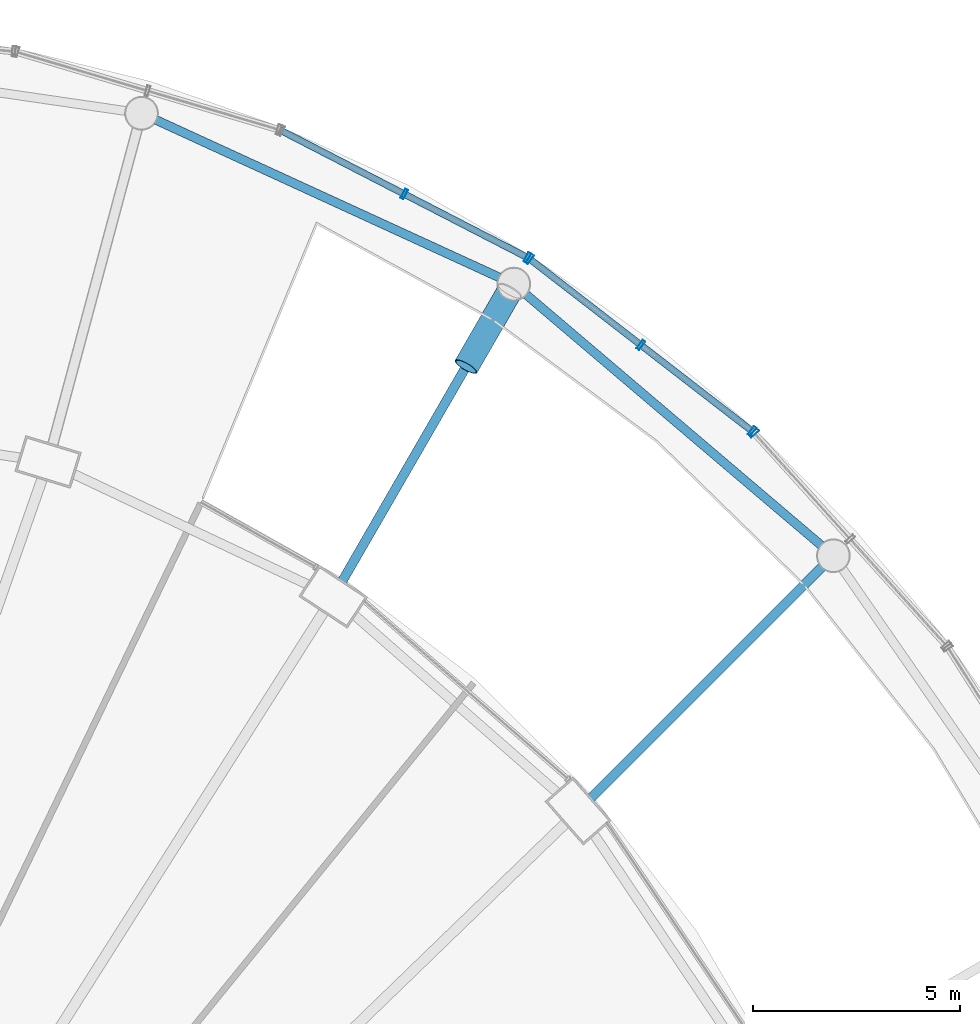
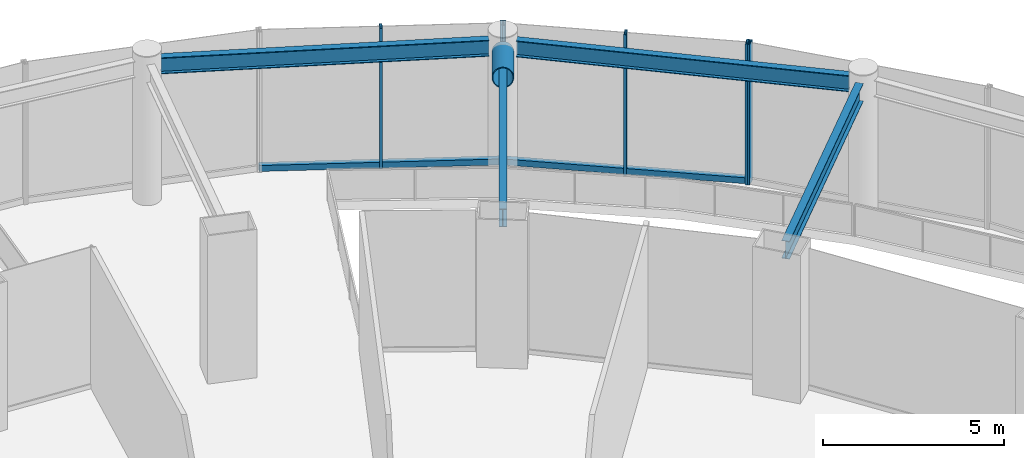
# One storey, part 38 of 52: 9 members, 4 beams, 3 elements without a shape of their own.
"""IFC4 building model written with IfcOpenShell, lengths in metres."""

from ifc_helpers import new_model, si_unit, direction, frame, origin, origin_2d, place, context, subcontext, project, spatial, hollow_rectangle, hollow_circle, i_section, extrude, material, layer, layer_set, material_profile, profile_set, type_object, element, aggregate, save


model = new_model("IFC4")

# Units and contexts
model_context = context("Model", 3, precision=1e-05, world=origin(), true_north=direction((0.0, 1.0)))
body_context = subcontext(model_context, "Body", "Model", "MODEL_VIEW")
ifc_project = project(units=[si_unit("LENGTHUNIT", "METRE"), si_unit("AREAUNIT", "SQUARE_METRE"), si_unit("VOLUMEUNIT", "CUBIC_METRE"), si_unit("PLANEANGLEUNIT", "RADIAN"), si_unit("MASSUNIT", "GRAM", prefix="KILO")], contexts=[model_context])

# Site, building, storey
site_placement = place(None, origin())
site = spatial("IfcSite", under=ifc_project, at=site_placement, CompositionType="ELEMENT")
building_placement = place(site_placement, origin())
building = spatial("IfcBuilding", under=site, at=building_placement, Name="Nagisa Residences", CompositionType="ELEMENT")
storey_placement = place(building_placement, frame((0.0, 0.0, 22.0)))
storey = spatial("IfcBuildingStorey", under=building, at=storey_placement, Name="L04", CompositionType="ELEMENT", Elevation=22.0)

# Beams
ifc_material_1 = material(Name="Steel ASTM A572 Gr 50", Category="steel")
ifc_material_profile_1 = material_profile(ifc_material_1, i_section(OverallWidth=0.214111328125, OverallDepth=0.549072265625, WebThickness=0.0146484375, FlangeThickness=0.023681640625, at=origin_2d()), Name="W530x138")
ifc_profile_set_1 = profile_set([ifc_material_profile_1], Name="Steel ASTM A572 Gr 50")
beam_type_1 = type_object("IfcBeamType", Name="Atrium ring beam W530x138", PredefinedType="BEAM", material=ifc_profile_set_1)
beam_1_placement = place(storey_placement, frame((29.60986328125, 29.383056640625, 4.4755859375), z_axis=(-0.761996084448, 0.647581629824, 0.0), x_axis=(-0.647581629824, -0.761996084448, 0.0)))
element("IfcBeam", 1, at=beam_1_placement, inside=storey, type_object=beam_type_1, Name="beam:L04:rab04", PredefinedType="BEAM", context=body_context, shape_type="SweptSolid", body=[
    extrude(i_section(OverallWidth=0.214111328125, OverallDepth=0.549072265625, WebThickness=0.0146484375, FlangeThickness=0.023681640625, at=origin_2d()), origin(), (0.0, 0.0, 1.0), 9.337646484375),
])
beam_2_placement = place(storey_placement, frame((21.8486328125, 35.84130859375, 4.4755859375), z_axis=(-0.908914420706, 0.416982704477, 0.0), x_axis=(-0.416982704477, -0.908914420706, 0.0)))
element("IfcBeam", 2, at=beam_2_placement, inside=storey, type_object=beam_type_1, Name="beam:L04:rab05", PredefinedType="BEAM", context=body_context, shape_type="SweptSolid", body=[
    extrude(i_section(OverallWidth=0.214111328125, OverallDepth=0.549072265625, WebThickness=0.0146484375, FlangeThickness=0.023681640625, at=origin_2d()), origin(), (0.0, 0.0, 1.0), 9.097900390625),
])
ifc_material_2 = material(Name="Steel ASTM A572 Gr 50", Category="steel")
ifc_material_profile_2 = material_profile(ifc_material_2, i_section(OverallWidth=0.22802734375, OverallDepth=0.60302734375, WebThickness=0.010498046875, FlangeThickness=0.014892578125, at=origin_2d()), Name="W610x101")
ifc_profile_set_2 = profile_set([ifc_material_profile_2], Name="Steel ASTM A572 Gr 50")
beam_type_2 = type_object("IfcBeamType", Name="Atrium roof beam W610x101", PredefinedType="BEAM", material=ifc_profile_set_2)
beam_3_placement = place(storey_placement, frame((24.057373046875, 23.28564453125, 4.448486328125), z_axis=(0.707091295005, 0.707122267029, 0.0), x_axis=(-0.707122267029, 0.707091295005, 0.0)))
element("IfcBeam", 3, at=beam_3_placement, inside=storey, type_object=beam_type_2, Name="beam:L04:rer04", PredefinedType="BEAM", context=body_context, shape_type="SweptSolid", body=[
    extrude(i_section(OverallWidth=0.22802734375, OverallDepth=0.60302734375, WebThickness=0.010498046875, FlangeThickness=0.014892578125, at=origin_2d()), origin(), (0.0, 0.0, 1.0), 7.882568359375),
])
beam_4_placement = place(storey_placement, frame((18.0654296875, 28.518798828125, 4.448486328125), z_axis=(0.500003060896, 0.866023636568, 0.0), x_axis=(-0.866023636568, 0.500003060896, 0.0)))
element("IfcBeam", 4, at=beam_4_placement, inside=storey, type_object=beam_type_2, Name="beam:L04:rer05", PredefinedType="BEAM", context=body_context, shape_type="SweptSolid", body=[
    extrude(i_section(OverallWidth=0.22802734375, OverallDepth=0.60302734375, WebThickness=0.010498046875, FlangeThickness=0.014892578125, at=origin_2d()), origin(), (0.0, 0.0, 1.0), 7.8828125),
])

# Curtain wall, member
ifc_material_3 = material(Name="Stainless steel curtain wall system", Category="steel")
ifc_layer = layer(ifc_material_3, 0.159912109375)
ifc_layer_set = layer_set([ifc_layer], Name="CW3 CURTAIN WALL")
curtain_wall_type = type_object("IfcCurtainWallType", Name="CW3 CURTAIN WALL", PredefinedType="NOTDEFINED", material=ifc_layer_set)
curtain_wall_1_placement = place(storey_placement, origin())
curtain_wall_1 = element("IfcCurtainWall", 5, at=curtain_wall_1_placement, inside=storey, type_object=curtain_wall_type, Name="cw:CW3:L04:04", PredefinedType="NOTDEFINED")
ifc_material_4 = material(Name="Stainless steel", Category="steel")
ifc_material_profile_3 = material_profile(ifc_material_4, hollow_rectangle(XDim=0.25, YDim=0.080078125, WallThickness=0.008056640625, at=origin_2d()), Name="CW3 MULLION 250x80")
ifc_profile_set_3 = profile_set([ifc_material_profile_3], Name="Stainless steel")
member_type_1 = type_object("IfcMemberType", Name="CW3 MULLION 250x80", PredefinedType="MULLION", material=ifc_profile_set_3)
member_1_placement = place(storey_placement, frame((27.993408203125, 32.090576171875, 0.0), z_axis=(0.0, 0.0, 1.0), x_axis=(-0.741535779122, -0.670913323971, 0.0)))
member_1 = element("IfcMember", 6, at=member_1_placement, type_object=member_type_1, Name="CW3 mullion", PredefinedType="MULLION", context=body_context, shape_type="SweptSolid", body=[
    extrude(hollow_rectangle(XDim=0.25, YDim=0.080078125, WallThickness=0.008056640625, at=origin_2d()), origin(), (0.0, 0.0, 1.0), 4.739990234375),
])
aggregate(curtain_wall_1, [member_1])

# Curtain wall, members
curtain_wall_2_placement = place(storey_placement, origin())
curtain_wall_2 = element("IfcCurtainWall", 7, at=curtain_wall_2_placement, inside=storey, type_object=curtain_wall_type, Name="cw:CW3:L04:05", PredefinedType="NOTDEFINED")
member_2_placement = place(storey_placement, frame((27.9453125, 32.135009765625, 0.0), z_axis=(0.0, 0.0, 1.0), x_axis=(-0.612034757172, -0.790830864353, 0.0)))
member_2 = element("IfcMember", 8, at=member_2_placement, type_object=member_type_1, Name="CW3 mullion", PredefinedType="MULLION", context=body_context, shape_type="SweptSolid", body=[
    extrude(hollow_rectangle(XDim=0.25, YDim=0.080078125, WallThickness=0.008056640625, at=origin_2d()), origin(), (0.0, 0.0, 1.0), 4.739990234375),
])
member_3_placement = place(storey_placement, frame((25.263916015625, 34.210205078125, 0.0), z_axis=(0.0, 0.0, 1.0), x_axis=(-0.612034757172, -0.790830864353, 0.0)))
member_3 = element("IfcMember", 9, at=member_3_placement, type_object=member_type_1, Name="CW3 mullion", PredefinedType="MULLION", context=body_context, shape_type="SweptSolid", body=[
    extrude(hollow_rectangle(XDim=0.25, YDim=0.080078125, WallThickness=0.008056640625, at=origin_2d()), origin(), (0.0, 0.0, 1.0), 4.739990234375),
])
member_4_placement = place(storey_placement, frame((22.582763671875, 36.285400390625, 0.0), z_axis=(0.0, 0.0, 1.0), x_axis=(-0.612034757172, -0.790830864353, 0.0)))
member_4 = element("IfcMember", 10, at=member_4_placement, type_object=member_type_1, Name="CW3 mullion", PredefinedType="MULLION", context=body_context, shape_type="SweptSolid", body=[
    extrude(hollow_rectangle(XDim=0.25, YDim=0.080078125, WallThickness=0.008056640625, at=origin_2d()), origin(), (0.0, 0.0, 1.0), 4.739990234375),
])

curtain_wall_3_placement = place(storey_placement, origin())
curtain_wall_3 = element("IfcCurtainWall", 11, at=curtain_wall_3_placement, inside=storey, type_object=curtain_wall_type, Name="cw:CW3:L04:06", PredefinedType="NOTDEFINED")
member_5_placement = place(storey_placement, frame((22.52783203125, 36.3203125, 0.0), z_axis=(0.0, 0.0, 1.0), x_axis=(-0.45812598783, -0.888887270285, 0.0)))
member_5 = element("IfcMember", 12, at=member_5_placement, type_object=member_type_1, Name="CW3 mullion", PredefinedType="MULLION", context=body_context, shape_type="SweptSolid", body=[
    extrude(hollow_rectangle(XDim=0.25, YDim=0.080078125, WallThickness=0.008056640625, at=origin_2d()), origin(), (0.0, 0.0, 1.0), 4.739990234375),
])
member_6_placement = place(storey_placement, frame((19.561767578125, 37.848876953125, 0.0), z_axis=(0.0, 0.0, 1.0), x_axis=(-0.45812598783, -0.888887270285, 0.0)))
member_6 = element("IfcMember", 13, at=member_6_placement, type_object=member_type_1, Name="CW3 mullion", PredefinedType="MULLION", context=body_context, shape_type="SweptSolid", body=[
    extrude(hollow_rectangle(XDim=0.25, YDim=0.080078125, WallThickness=0.008056640625, at=origin_2d()), origin(), (0.0, 0.0, 1.0), 4.739990234375),
])

# Member
ifc_material_5 = material(Name="Stainless steel", Category="steel")
ifc_material_profile_4 = material_profile(ifc_material_5, hollow_rectangle(XDim=0.159912109375, YDim=0.199951171875, WallThickness=0.008056640625, at=origin_2d()), Name="CW3 TRANSOM 160x200")
ifc_profile_set_4 = profile_set([ifc_material_profile_4], Name="Stainless steel")
member_type_2 = type_object("IfcMemberType", Name="CW3 TRANSOM 160x200", PredefinedType="USERDEFINED", material=ifc_profile_set_4)
member_7_placement = place(storey_placement, frame((27.97705078125, 32.110595703125, 0.10009765625), z_axis=(-0.790834819486, 0.612029646576, 0.0), x_axis=(-0.612029646576, -0.790834819486, 0.0)))
member_7 = element("IfcMember", 14, at=member_7_placement, type_object=member_type_2, Name="CW3 transom", ObjectType="TRANSOM", PredefinedType="USERDEFINED", context=body_context, shape_type="SweptSolid", body=[
    extrude(hollow_rectangle(XDim=0.159912109375, YDim=0.199951171875, WallThickness=0.008056640625, at=origin_2d()), origin(), (0.0, 0.0, 1.0), 6.861083984375),
])

aggregate(curtain_wall_2, [member_2, member_3, member_4, member_7])

member_8_placement = place(storey_placement, frame((22.563232421875, 36.302001953125, 0.10009765625), z_axis=(-0.888887130152, 0.458126259726, 0.0), x_axis=(-0.458126259726, -0.888887130152, 0.0)))
member_8 = element("IfcMember", 15, at=member_8_placement, type_object=member_type_2, Name="CW3 transom", ObjectType="TRANSOM", PredefinedType="USERDEFINED", context=body_context, shape_type="SweptSolid", body=[
    extrude(hollow_rectangle(XDim=0.159912109375, YDim=0.199951171875, WallThickness=0.008056640625, at=origin_2d()), origin(), (0.0, 0.0, 1.0), 6.753662109375),
])

aggregate(curtain_wall_3, [member_5, member_6, member_8])

ifc_material_6 = material(Name="Steel ASTM A572 Gr 65", Category="steel")
ifc_material_profile_5 = material_profile(ifc_material_6, hollow_circle(Radius=0.304931640625, WallThickness=0.02490234375, at=origin_2d()), Name="CHS 610x25")
ifc_profile_set_5 = profile_set([ifc_material_profile_5], Name="Steel ASTM A572 Gr 65")
member_type_3 = type_object("IfcMemberType", Name="Cage strut CHS 610x25", PredefinedType="STRUT", material=ifc_profile_set_5)
member_9_placement = place(storey_placement, frame((21.050048828125, 33.6884765625, 5.0), z_axis=(0.480782391152, 0.832677989233, -0.27476473319), x_axis=(-0.866009402589, 0.500027713859, 0.0)))
element("IfcMember", 16, at=member_9_placement, inside=storey, type_object=member_type_3, Name="mem:L04:cg1tie03", PredefinedType="STRUT", context=body_context, shape_type="SweptSolid", body=[
    extrude(hollow_circle(Radius=0.304931640625, WallThickness=0.02490234375, at=origin_2d()), origin(), (0.0, 0.0, 1.0), 2.18408203125),
])

save(model, "model.ifc")
